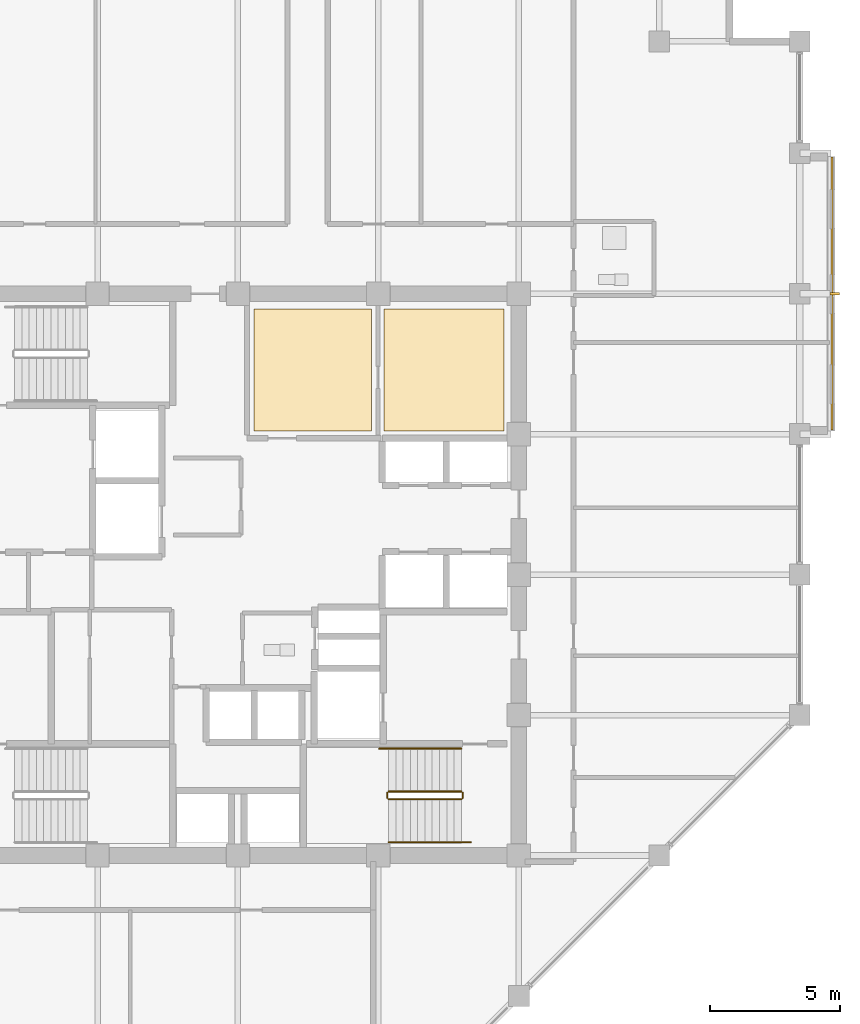
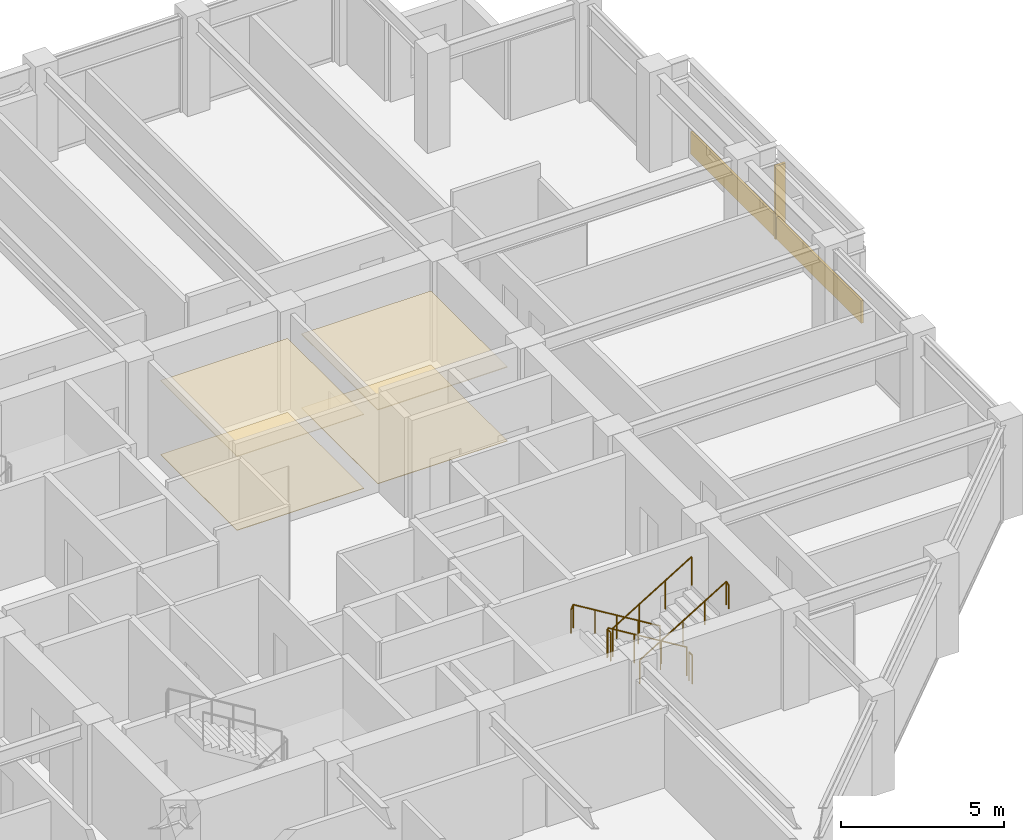
# One storey, part 31 of 32: 6 railings, 5 coverings, 1 shading device.
"""IFC4 building model written with IfcOpenShell, lengths in metres."""

from ifc_helpers import new_model, si_unit, direction, frame, origin, origin_2d, place, context, subcontext, project, spatial, polyline, rectangle, circle, outline, extrude, material, layer, layer_set, type_object, element, save


model = new_model("IFC4")

# Units and contexts
model_context = context("Model", 3, precision=1e-05, world=origin(), true_north=direction((0.0, 1.0)))
body_context = subcontext(model_context, "Body", "Model", "MODEL_VIEW")
ifc_project = project(units=[si_unit("LENGTHUNIT", "METRE"), si_unit("AREAUNIT", "SQUARE_METRE"), si_unit("VOLUMEUNIT", "CUBIC_METRE"), si_unit("PLANEANGLEUNIT", "RADIAN"), si_unit("MASSUNIT", "GRAM", prefix="KILO")], contexts=[model_context])

# Site, building, storey
site_placement = place(None, origin())
site = spatial("IfcSite", under=ifc_project, at=site_placement, CompositionType="ELEMENT")
building_placement = place(site_placement, origin())
building = spatial("IfcBuilding", under=site, at=building_placement, Name="Surkhivell Harbour Commons", CompositionType="ELEMENT")
storey_placement = place(building_placement, frame((0.0, 0.0, 234.75)))
storey = spatial("IfcBuildingStorey", under=building, at=storey_placement, Name="L61", CompositionType="ELEMENT", Elevation=234.75)

# Coverings
ifc_material_1 = material(Name="Perforated acoustic mineral-fibre ceiling tile", Category="other")
ifc_layer_1 = layer(ifc_material_1, 0.02490234375)
ifc_layer_set_1 = layer_set([ifc_layer_1], Name="Perforated acoustic mineral-fibre ceiling tile")
covering_type_1 = type_object("IfcCoveringType", Name="COV-CEIL-AC", PredefinedType="CEILING", material=ifc_layer_set_1)
covering_1_placement = place(storey_placement, frame((0.0, 0.0, 2.77490234375)))
element("IfcCovering", 1, at=covering_1_placement, inside=storey, type_object=covering_type_1, Name="L61 Suspended Acoustic Ceiling 1", PredefinedType="CEILING", context=body_context, shape_type="SweptSolid", body=[
    extrude(outline(polyline([(0.6201171875, 5.52001953125), (5.1298828125, 5.52001953125), (5.1298828125, 10.219970703125), (0.6201171875, 10.219970703125), (0.6201171875, 5.52001953125)])), origin(), (0.0, 0.0, 1.0), 0.025146484375),
])
ifc_material_2 = material(Name="Moisture-resistant gypsum acoustic ceiling board", Category="other")
ifc_layer_2 = layer(ifc_material_2, 0.030029296875)
ifc_layer_set_2 = layer_set([ifc_layer_2], Name="Moisture-resistant gypsum acoustic ceiling board")
covering_type_2 = type_object("IfcCoveringType", Name="COV-CEIL-GYP", PredefinedType="CEILING", material=ifc_layer_set_2)
covering_2_placement = place(storey_placement, frame((0.0, 0.0, 2.77001953125)))
element("IfcCovering", 2, at=covering_2_placement, inside=storey, type_object=covering_type_2, Name="L61 Suspended Acoustic Ceiling 2", PredefinedType="CEILING", context=body_context, shape_type="SweptSolid", body=[
    extrude(outline(polyline([(5.6201171875, 5.52001953125), (10.219970703125, 5.52001953125), (10.219970703125, 10.219970703125), (5.6201171875, 10.219970703125), (5.6201171875, 5.52001953125)])), origin(), (0.0, 0.0, 1.0), 0.030029296875),
])
ifc_material_3 = material(Name="Emerald-teal enamelled aluminium cassette panel", Category="aluminium")
ifc_layer_3 = layer(ifc_material_3, 0.068115234375)
ifc_layer_set_3 = layer_set([ifc_layer_3], Name="Emerald-teal enamelled aluminium cassette panel")
covering_type_3 = type_object("IfcCoveringType", Name="COV-CLAD-EME", PredefinedType="CLADDING", material=ifc_layer_set_3)
covering_3_placement = place(storey_placement, frame((22.840087890625, 10.800048828125, 0.0), z_axis=(0.0, 0.0, 1.0), x_axis=(1.0, 0.0, 0.0)))
element("IfcCovering", 3, at=covering_3_placement, inside=storey, type_object=covering_type_3, Name="L61 Coloured-Panel Box Spandrel Cassette 01", PredefinedType="CLADDING", context=body_context, shape_type="SweptSolid", body=[
    extrude(rectangle(XDim=0.080078125, YDim=10.5, at=origin_2d()), origin(), (0.0, 0.0, 1.0), 0.840087890625),
])
ifc_material_4 = material(Name="Engineered acoustic oak timber flooring", Category="wood")
ifc_layer_4 = layer(ifc_material_4, 0.02001953125)
ifc_layer_set_4 = layer_set([ifc_layer_4], Name="Engineered acoustic oak timber flooring")
covering_type_4 = type_object("IfcCoveringType", Name="COV-FLR-TIM", PredefinedType="FLOORING", material=ifc_layer_set_4)
covering_4_placement = place(storey_placement, origin())
element("IfcCovering", 4, at=covering_4_placement, inside=storey, type_object=covering_type_4, Name="L61 Interior Floor Finish 1", PredefinedType="FLOORING", context=body_context, shape_type="SweptSolid", body=[
    extrude(outline(polyline([(0.6201171875, 5.52001953125), (5.1298828125, 5.52001953125), (5.1298828125, 10.219970703125), (0.6201171875, 10.219970703125), (0.6201171875, 5.52001953125)])), origin(), (0.0, 0.0, 1.0), 0.02001953125),
])
covering_5_placement = place(storey_placement, origin())
element("IfcCovering", 5, at=covering_5_placement, inside=storey, type_object=covering_type_4, Name="L61 Interior Floor Finish 2", PredefinedType="FLOORING", context=body_context, shape_type="SweptSolid", body=[
    extrude(outline(polyline([(5.6201171875, 5.52001953125), (10.219970703125, 5.52001953125), (10.219970703125, 10.219970703125), (5.6201171875, 10.219970703125), (5.6201171875, 5.52001953125)])), origin(), (0.0, 0.0, 1.0), 0.02001953125),
])

# Railings
ifc_material_5 = material(Name="Galvanised and painted steel S355 guard rail", Category="steel")
railing_type_1 = type_object("IfcRailingType", Name="RAL-ST-GRD1100", PredefinedType="GUARDRAIL", material=ifc_material_5)
railing_1_placement = place(storey_placement, frame((8.590087890625, -8.340087890625, 0.17041015625)))
element("IfcRailing", 6, at=railing_1_placement, inside=storey, type_object=railing_type_1, Name="L61 ST2 stair guard 1", PredefinedType="GUARDRAIL", context=body_context, shape_type="SweptSolid", body=[
    extrude(circle(Radius=0.02392578125, at=origin_2d()), frame((0.0, 0.0, 1.076171875), z_axis=(-0.854169791009, 0.0, 0.51999420009), x_axis=(0.0, -1.0, 0.0)), (0.0, 0.0, 1.0), 3.278076171875),
    extrude(circle(Radius=0.02099609375, at=origin_2d()), origin(), (0.0, 0.0, 1.0), 1.052001953125),
    extrude(circle(Radius=0.02099609375, at=origin_2d()), frame((-0.933349609375, 0.0, 0.568115234375)), (0.0, 0.0, 1.0), 1.052001953125),
    extrude(circle(Radius=0.02099609375, at=origin_2d()), frame((-1.86669921875, 0.0, 1.136474609375)), (0.0, 0.0, 1.0), 1.052001953125),
    extrude(circle(Radius=0.02099609375, at=origin_2d()), frame((-2.800048828125, 0.0, 1.70458984375)), (0.0, 0.0, 1.0), 1.052001953125),
])
railing_2_placement = place(storey_placement, frame((5.739990234375, -8.389892578125, 1.875)))
element("IfcRailing", 7, at=railing_2_placement, inside=storey, type_object=railing_type_1, Name="L61 ST2 stair guard 2", PredefinedType="GUARDRAIL", context=body_context, shape_type="SweptSolid", body=[
    extrude(circle(Radius=0.02392578125, at=origin_2d()), frame((0.0, 0.0, 1.076171875), z_axis=(0.0, -1.0, 0.0), x_axis=(1.0, 0.0, 0.0)), (0.0, 0.0, 1.0), 0.2001953125),
    extrude(circle(Radius=0.02099609375, at=origin_2d()), origin(), (0.0, 0.0, 1.0), 1.052001953125),
    extrude(circle(Radius=0.02099609375, at=origin_2d()), frame((0.0, -0.2001953125, 0.0)), (0.0, 0.0, 1.0), 1.052001953125),
])
railing_3_placement = place(storey_placement, frame((5.7900390625, -8.639892578125, 2.04541015625)))
element("IfcRailing", 8, at=railing_3_placement, inside=storey, type_object=railing_type_1, Name="L61 ST2 stair guard 3", PredefinedType="GUARDRAIL", context=body_context, shape_type="SweptSolid", body=[
    extrude(circle(Radius=0.02392578125, at=origin_2d()), frame((0.0, 0.0, 1.076171875), z_axis=(0.854169791009, 0.0, 0.51999420009), x_axis=(0.0, 1.0, 0.0)), (0.0, 0.0, 1.0), 3.278076171875),
    extrude(circle(Radius=0.02099609375, at=origin_2d()), origin(), (0.0, 0.0, 1.0), 1.052001953125),
    extrude(circle(Radius=0.02099609375, at=origin_2d()), frame((0.933349609375, 0.0, 0.568115234375)), (0.0, 0.0, 1.0), 1.052001953125),
    extrude(circle(Radius=0.02099609375, at=origin_2d()), frame((1.86669921875, 0.0, 1.136474609375)), (0.0, 0.0, 1.0), 1.052001953125),
    extrude(circle(Radius=0.02099609375, at=origin_2d()), frame((2.800048828125, 0.0, 1.70458984375)), (0.0, 0.0, 1.0), 1.052001953125),
])
railing_4_placement = place(storey_placement, frame((8.639892578125, -8.389892578125, 0.0)))
element("IfcRailing", 9, at=railing_4_placement, inside=storey, type_object=railing_type_1, Name="L61 ST2 stair guard 4", PredefinedType="GUARDRAIL", context=body_context, shape_type="SweptSolid", body=[
    extrude(circle(Radius=0.02392578125, at=origin_2d()), frame((0.0, 0.0, 1.076171875), z_axis=(0.0, -1.0, 0.0), x_axis=(1.0, 0.0, 0.0)), (0.0, 0.0, 1.0), 0.2001953125),
    extrude(circle(Radius=0.02099609375, at=origin_2d()), origin(), (0.0, 0.0, 1.0), 1.052001953125),
    extrude(circle(Radius=0.02099609375, at=origin_2d()), frame((0.0, -0.2001953125, 0.0)), (0.0, 0.0, 1.0), 1.052001953125),
])
ifc_material_6 = material(Name="Brushed stainless steel S355 handrail", Category="steel")
railing_type_2 = type_object("IfcRailingType", Name="RAL-ST-HND900", PredefinedType="HANDRAIL", material=ifc_material_6)
railing_5_placement = place(storey_placement, frame((8.590087890625, -6.68994140625, 0.17041015625)))
element("IfcRailing", 10, at=railing_5_placement, inside=storey, type_object=railing_type_2, Name="L61 ST2 stair handrail 1", PredefinedType="HANDRAIL", context=body_context, shape_type="SweptSolid", body=[
    extrude(circle(Radius=0.02392578125, at=origin_2d()), frame((0.0, 0.0, 0.8759765625), z_axis=(-0.854177636135, 0.0, 0.519981313056), x_axis=(0.0, -1.0, 0.0)), (0.0, 0.0, 1.0), 3.60595703125),
    extrude(circle(Radius=0.02392578125, at=origin_2d()), frame((-3.080078125, 0.0, 2.7509765625), z_axis=(-0.425297416671, 0.0, -0.905053648892), x_axis=(0.0, -1.0, 0.0)), (0.0, 0.0, 1.0), 0.188232421875),
    extrude(circle(Radius=0.02099609375, at=origin_2d()), origin(), (0.0, 0.0, 1.0), 0.851806640625),
    extrude(circle(Radius=0.02099609375, at=origin_2d()), frame((-0.77001953125, 0.0, 0.46875)), (0.0, 0.0, 1.0), 0.851806640625),
    extrude(circle(Radius=0.02099609375, at=origin_2d()), frame((-1.5400390625, 0.0, 0.9375)), (0.0, 0.0, 1.0), 0.851806640625),
    extrude(circle(Radius=0.02099609375, at=origin_2d()), frame((-2.31005859375, 0.0, 1.40625)), (0.0, 0.0, 1.0), 0.851806640625),
    extrude(circle(Radius=0.02099609375, at=origin_2d()), frame((-3.080078125, 0.0, 1.875)), (0.0, 0.0, 1.0), 0.851806640625),
    extrude(circle(Radius=0.02099609375, at=origin_2d()), frame((-3.16015625, 0.0, 1.70458984375)), (0.0, 0.0, 1.0), 0.851806640625),
])
railing_6_placement = place(storey_placement, frame((5.7900390625, -10.2900390625, 2.04541015625)))
element("IfcRailing", 11, at=railing_6_placement, inside=storey, type_object=railing_type_2, Name="L61 ST2 stair handrail 2", PredefinedType="HANDRAIL", context=body_context, shape_type="SweptSolid", body=[
    extrude(circle(Radius=0.02392578125, at=origin_2d()), frame((0.0, 0.0, 0.8759765625), z_axis=(0.854177636135, 0.0, 0.519981313056), x_axis=(0.0, 1.0, 0.0)), (0.0, 0.0, 1.0), 3.60595703125),
    extrude(circle(Radius=0.02392578125, at=origin_2d()), frame((3.080078125, 0.0, 2.7509765625), z_axis=(0.424234432967, 0.0, -0.905552398199), x_axis=(0.0, 1.0, 0.0)), (0.0, 0.0, 1.0), 0.188232421875),
    extrude(circle(Radius=0.02099609375, at=origin_2d()), origin(), (0.0, 0.0, 1.0), 0.851806640625),
    extrude(circle(Radius=0.02099609375, at=origin_2d()), frame((0.77001953125, 0.0, 0.46875)), (0.0, 0.0, 1.0), 0.851806640625),
    extrude(circle(Radius=0.02099609375, at=origin_2d()), frame((1.5400390625, 0.0, 0.9375)), (0.0, 0.0, 1.0), 0.851806640625),
    extrude(circle(Radius=0.02099609375, at=origin_2d()), frame((2.31005859375, 0.0, 1.40625)), (0.0, 0.0, 1.0), 0.851806640625),
    extrude(circle(Radius=0.02099609375, at=origin_2d()), frame((3.080078125, 0.0, 1.875)), (0.0, 0.0, 1.0), 0.851806640625),
    extrude(circle(Radius=0.02099609375, at=origin_2d()), frame((3.159912109375, 0.0, 1.70458984375)), (0.0, 0.0, 1.0), 0.851806640625),
])

# Shading device
ifc_material_7 = material(Name="Anodised pale-metal aluminium solar fin", Category="aluminium")
shading_device_type = type_object("IfcShadingDeviceType", Name="SHD-FIN-VERT", PredefinedType="USERDEFINED", material=ifc_material_7)
shading_device_placement = place(storey_placement, frame((22.93994140625, 10.800048828125, 0.0048828125), z_axis=(0.0, 0.0, 1.0), x_axis=(1.0, 0.0, 0.0)))
element("IfcShadingDevice", 12, at=shading_device_placement, inside=storey, type_object=shading_device_type, Name="L61 Coloured-Box Solar Fin 01", ObjectType="FIN", PredefinedType="USERDEFINED", context=body_context, shape_type="SweptSolid", body=[
    extrude(rectangle(XDim=0.360107421875, YDim=0.090087890625, at=origin_2d()), origin(), (0.0, 0.0, 1.0), 2.75),
])

save(model, "model.ifc")
